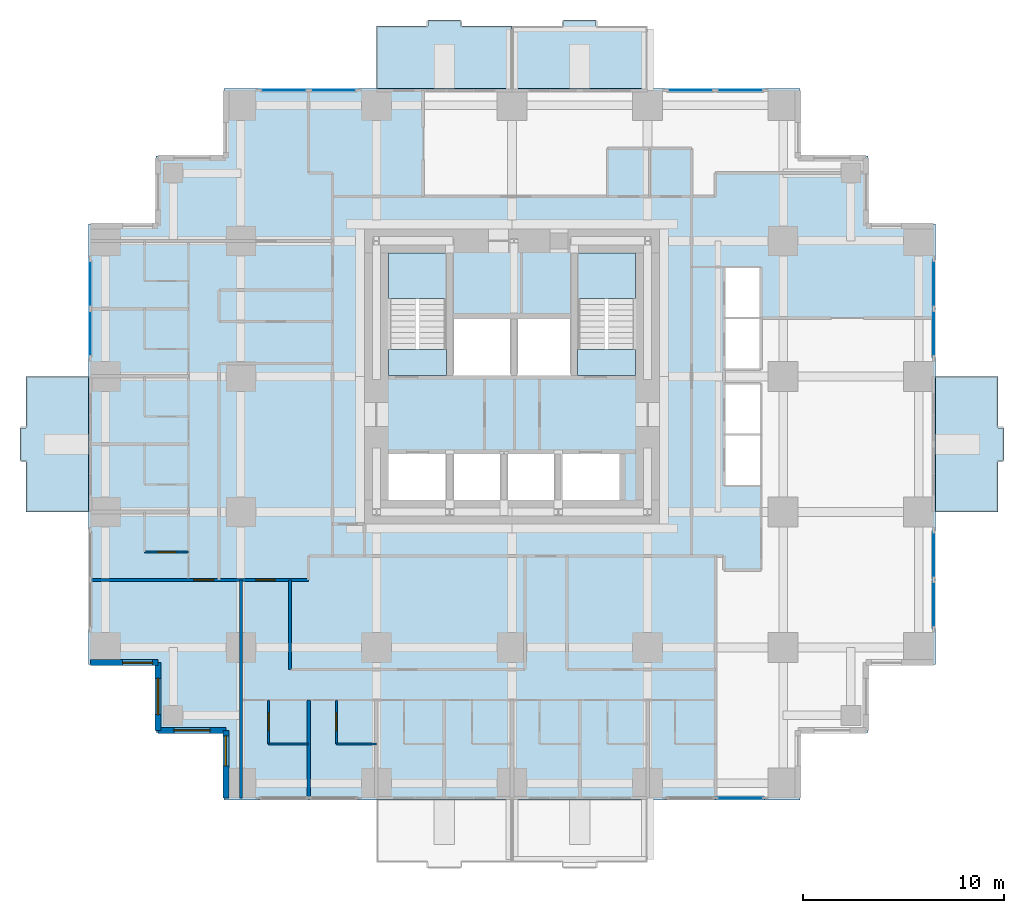
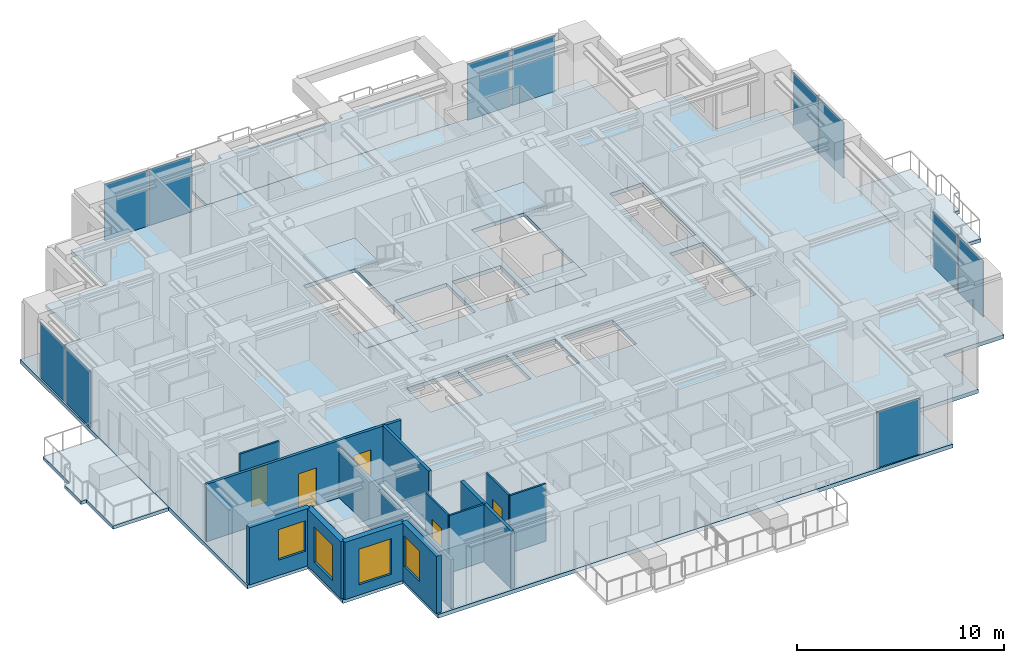
# One storey, part 4 of 11: 13 walls, 11 plates, 9 slabs, 5 doors, 4 windows, 9 openings, 8 elements without a shape of their own.
"""IFC4 building model written with IfcOpenShell, lengths in metres."""

from ifc_helpers import new_model, si_unit, direction, frame, frame_2d, origin, origin_2d, place, context, subcontext, project, spatial, polyline, rectangle, outline, extrude, material, layer, layer_set, type_object, element, fill, aggregate, save


model = new_model("IFC4")

# Units and contexts
model_context = context("Model", 3, precision=1e-05, world=origin(), true_north=direction((0.0, 1.0)))
body_context = subcontext(model_context, "Body", "Model", "MODEL_VIEW")
ifc_project = project(units=[si_unit("LENGTHUNIT", "METRE"), si_unit("AREAUNIT", "SQUARE_METRE"), si_unit("VOLUMEUNIT", "CUBIC_METRE"), si_unit("PLANEANGLEUNIT", "RADIAN"), si_unit("MASSUNIT", "GRAM", prefix="KILO")], contexts=[model_context])

# Site, building, storey
site_placement = place(None, origin())
site = spatial("IfcSite", under=ifc_project, at=site_placement, CompositionType="ELEMENT")
building_placement = place(site_placement, origin())
building = spatial("IfcBuilding", under=site, at=building_placement, Name="Nyansa Garden Tower", CompositionType="ELEMENT")
storey_placement = place(building_placement, frame((0.0, 0.0, 108.89990234375)))
storey = spatial("IfcBuildingStorey", under=building, at=storey_placement, Name="L29", CompositionType="ELEMENT", Elevation=108.89990234375)

# Slabs
ifc_material_1 = material(Name="Concrete C40/50", Category="concrete")
ifc_layer_1 = layer(ifc_material_1, 0.199951171875)
ifc_layer_set_1 = layer_set([ifc_layer_1], Name="Balcony slab BS200")
slab_type_1 = type_object("IfcSlabType", Name="Balcony slab BS200", PredefinedType="FLOOR", material=ifc_layer_set_1)
slab_1_placement = place(storey_placement, frame((0.0, 0.0, -0.239990234375)))
element("IfcSlab", 1, at=slab_1_placement, inside=storey, type_object=slab_type_1, Name="Balcony L29 E", PredefinedType="FLOOR", context=body_context, shape_type="SweptSolid", body=[
    extrude(outline(polyline([(41.35009765625, 13.5), (41.35009765625, 20.25), (44.449951171875, 20.25), (44.449951171875, 17.675048828125), (44.75, 17.675048828125), (44.75, 16.074951171875), (44.449951171875, 16.074951171875), (44.449951171875, 13.5), (41.35009765625, 13.5)])), origin(), (0.0, 0.0, 1.0), 0.2001953125),
])
slab_2_placement = place(storey_placement, frame((0.0, 0.0, -0.239990234375)))
element("IfcSlab", 2, at=slab_2_placement, inside=storey, type_object=slab_type_1, Name="Balcony L29 N", PredefinedType="FLOOR", context=body_context, shape_type="SweptSolid", body=[
    extrude(outline(polyline([(13.5, 34.60009765625), (20.25, 34.60009765625), (20.25, 37.699951171875), (17.675048828125, 37.699951171875), (17.675048828125, 38.0), (16.074951171875, 38.0), (16.074951171875, 37.699951171875), (13.5, 37.699951171875), (13.5, 34.60009765625)])), origin(), (0.0, 0.0, 1.0), 0.2001953125),
])
slab_3_placement = place(storey_placement, frame((0.0, 0.0, -0.239990234375)))
element("IfcSlab", 3, at=slab_3_placement, inside=storey, type_object=slab_type_1, Name="Balcony L29 N", PredefinedType="FLOOR", context=body_context, shape_type="SweptSolid", body=[
    extrude(outline(polyline([(20.25, 34.60009765625), (27.0, 34.60009765625), (27.0, 37.699951171875), (24.425048828125, 37.699951171875), (24.425048828125, 38.0), (22.824951171875, 38.0), (22.824951171875, 37.699951171875), (20.25, 37.699951171875), (20.25, 34.60009765625)])), origin(), (0.0, 0.0, 1.0), 0.2001953125),
])
slab_4_placement = place(storey_placement, frame((0.0, 0.0, -0.239990234375)))
element("IfcSlab", 4, at=slab_4_placement, inside=storey, type_object=slab_type_1, Name="Balcony L29 W", PredefinedType="FLOOR", context=body_context, shape_type="SweptSolid", body=[
    extrude(outline(polyline([(-0.85009765625, 13.5), (-0.85009765625, 20.25), (-3.949951171875, 20.25), (-3.949951171875, 17.675048828125), (-4.25, 17.675048828125), (-4.25, 16.074951171875), (-3.949951171875, 16.074951171875), (-3.949951171875, 13.5), (-0.85009765625, 13.5)])), origin(), (0.0, 0.0, 1.0), 0.2001953125),
])
ifc_material_2 = material(Name="Concrete C40/50", Category="concrete")
ifc_layer_2 = layer(ifc_material_2, 0.22509765625)
ifc_layer_set_2 = layer_set([ifc_layer_2], Name="Floor slab FS225")
slab_type_2 = type_object("IfcSlabType", Name="Floor slab FS225", PredefinedType="FLOOR", material=ifc_layer_set_2)
slab_5_placement = place(storey_placement, frame((0.0, 0.0, -0.224853515625)))
element("IfcSlab", 5, at=slab_5_placement, inside=storey, type_object=slab_type_2, Name="Floor slab L29", PredefinedType="FLOOR", context=body_context, shape_type="SweptSolid", body=[
    extrude(outline(polyline([(41.35009765625, 5.89990234375), (37.97509765625, 5.89990234375), (37.97509765625, 2.52490234375), (34.60009765625, 2.52490234375), (34.60009765625, -0.85009765625), (5.89990234375, -0.85009765625), (5.89990234375, 2.52490234375), (2.52490234375, 2.52490234375), (2.52490234375, 5.89990234375), (-0.85009765625, 5.89990234375), (-0.85009765625, 27.85009765625), (2.52490234375, 27.85009765625), (2.52490234375, 31.22509765625), (5.89990234375, 31.22509765625), (5.89990234375, 34.60009765625), (34.60009765625, 34.60009765625), (34.60009765625, 31.22509765625), (37.97509765625, 31.22509765625), (37.97509765625, 27.85009765625), (41.35009765625, 27.85009765625), (41.35009765625, 5.89990234375)]), holes=[polyline([(14.10009765625, 14.10009765625), (17.0, 14.10009765625), (17.0, 16.39990234375), (14.10009765625, 16.39990234375), (14.10009765625, 14.10009765625)]), polyline([(17.300048828125, 14.10009765625), (19.699951171875, 14.10009765625), (19.699951171875, 16.39990234375), (17.300048828125, 16.39990234375), (17.300048828125, 14.10009765625)]), polyline([(20.0, 14.10009765625), (22.39990234375, 14.10009765625), (22.39990234375, 16.39990234375), (20.0, 16.39990234375), (20.0, 14.10009765625)]), polyline([(22.699951171875, 14.10009765625), (25.60009765625, 14.10009765625), (25.60009765625, 16.39990234375), (22.699951171875, 16.39990234375), (22.699951171875, 14.10009765625)]), polyline([(17.300048828125, 20.300048828125), (20.199951171875, 20.300048828125), (20.199951171875, 23.10009765625), (17.300048828125, 23.10009765625), (17.300048828125, 20.300048828125)]), polyline([(20.5, 20.300048828125), (23.199951171875, 20.300048828125), (23.199951171875, 23.10009765625), (20.5, 23.10009765625), (20.5, 20.300048828125)]), polyline([(30.800048828125, 14.800048828125), (32.64990234375, 14.800048828125), (32.64990234375, 19.89990234375), (30.800048828125, 19.89990234375), (30.800048828125, 14.800048828125)]), polyline([(30.800048828125, 20.60009765625), (32.64990234375, 20.60009765625), (32.64990234375, 25.699951171875), (30.800048828125, 25.699951171875), (30.800048828125, 20.60009765625)]), polyline([(14.10009765625, 20.300048828125), (17.0, 20.300048828125), (17.0, 26.39990234375), (14.10009765625, 26.39990234375), (14.10009765625, 20.300048828125)]), polyline([(23.5, 20.300048828125), (26.39990234375, 20.300048828125), (26.39990234375, 26.39990234375), (23.5, 26.39990234375), (23.5, 20.300048828125)])]), origin(), (0.0, 0.0, 1.0), 0.224853515625),
])

# Curtain wall, plates
ifc_material_3 = material(Name="Black anodised aluminium, dark tinted double glazing", Category="aluminium")
curtain_wall_type = type_object("IfcCurtainWallType", Name="Sky lounge curtain wall SLW", PredefinedType="USERDEFINED", material=ifc_material_3)
curtain_wall_1_placement = place(storey_placement, origin())
curtain_wall_1 = element("IfcCurtainWall", 6, at=curtain_wall_1_placement, inside=storey, type_object=curtain_wall_type, Name="Inner skin curtain wall L29 E", ObjectType="UNITISED CURTAIN WALL", PredefinedType="USERDEFINED")
ifc_material_4 = material(Name="Dark tinted laminated double glazing", Category="glass")
ifc_layer_3 = layer(ifc_material_4, 0.048095703125)
ifc_layer_set_3 = layer_set([ifc_layer_3], Name="Lounge vision panel VP-L")
plate_type = type_object("IfcPlateType", Name="Lounge vision panel VP-L", PredefinedType="CURTAIN_PANEL", material=ifc_layer_set_3)
plate_1_placement = place(storey_placement, frame((41.25, 8.887451171875, 0.000244140625), z_axis=(0.0, 0.0, 1.0), x_axis=(0.0, 1.0, 0.0)))
plate_1 = element("IfcPlate", 7, at=plate_1_placement, type_object=plate_type, Name="SLW panel 1", PredefinedType="CURTAIN_PANEL", context=body_context, shape_type="SweptSolid", body=[
    extrude(rectangle(XDim=2.39501953125, YDim=0.048095703125, at=origin_2d()), origin(), (0.0, 0.0, 1.0), 3.294921875),
])
plate_2_placement = place(storey_placement, frame((41.25, 11.362548828125, 0.000244140625), z_axis=(0.0, 0.0, 1.0), x_axis=(0.0, 1.0, 0.0)))
plate_2 = element("IfcPlate", 8, at=plate_2_placement, type_object=plate_type, Name="SLW panel 2", PredefinedType="CURTAIN_PANEL", context=body_context, shape_type="SweptSolid", body=[
    extrude(rectangle(XDim=2.39501953125, YDim=0.048095703125, at=origin_2d()), origin(), (0.0, 0.0, 1.0), 3.294921875),
])
aggregate(curtain_wall_1, [plate_1, plate_2])

curtain_wall_2_placement = place(storey_placement, origin())
curtain_wall_2 = element("IfcCurtainWall", 9, at=curtain_wall_2_placement, inside=storey, type_object=curtain_wall_type, Name="Inner skin curtain wall L29 E", ObjectType="UNITISED CURTAIN WALL", PredefinedType="USERDEFINED")
plate_3_placement = place(storey_placement, frame((41.25, 22.387451171875, 0.000244140625), z_axis=(0.0, 0.0, 1.0), x_axis=(0.0, 1.0, 0.0)))
plate_3 = element("IfcPlate", 10, at=plate_3_placement, type_object=plate_type, Name="SLW panel 1", PredefinedType="CURTAIN_PANEL", context=body_context, shape_type="SweptSolid", body=[
    extrude(rectangle(XDim=2.39501953125, YDim=0.048095703125, at=origin_2d()), origin(), (0.0, 0.0, 1.0), 3.294921875),
])
plate_4_placement = place(storey_placement, frame((41.25, 24.862548828125, 0.000244140625), z_axis=(0.0, 0.0, 1.0), x_axis=(0.0, 1.0, 0.0)))
plate_4 = element("IfcPlate", 11, at=plate_4_placement, type_object=plate_type, Name="SLW panel 2", PredefinedType="CURTAIN_PANEL", context=body_context, shape_type="SweptSolid", body=[
    extrude(rectangle(XDim=2.39501953125, YDim=0.048095703125, at=origin_2d()), origin(), (0.0, 0.0, 1.0), 3.294921875),
])
aggregate(curtain_wall_2, [plate_3, plate_4])

curtain_wall_3_placement = place(storey_placement, origin())
curtain_wall_3 = element("IfcCurtainWall", 12, at=curtain_wall_3_placement, inside=storey, type_object=curtain_wall_type, Name="Inner skin curtain wall L29 N", ObjectType="UNITISED CURTAIN WALL", PredefinedType="USERDEFINED")
plate_5_placement = place(storey_placement, frame((11.362548828125, 34.5, 0.000244140625), z_axis=(0.0, 0.0, 1.0), x_axis=(-1.0, 0.0, 0.0)))
plate_5 = element("IfcPlate", 13, at=plate_5_placement, type_object=plate_type, Name="SLW panel 1", PredefinedType="CURTAIN_PANEL", context=body_context, shape_type="SweptSolid", body=[
    extrude(rectangle(XDim=2.39501953125, YDim=0.048095703125, at=origin_2d()), origin(), (0.0, 0.0, 1.0), 3.294921875),
])
plate_6_placement = place(storey_placement, frame((8.887451171875, 34.5, 0.000244140625), z_axis=(0.0, 0.0, 1.0), x_axis=(-1.0, 0.0, 0.0)))
plate_6 = element("IfcPlate", 14, at=plate_6_placement, type_object=plate_type, Name="SLW panel 2", PredefinedType="CURTAIN_PANEL", context=body_context, shape_type="SweptSolid", body=[
    extrude(rectangle(XDim=2.39501953125, YDim=0.048095703125, at=origin_2d()), origin(), (0.0, 0.0, 1.0), 3.294921875),
])
aggregate(curtain_wall_3, [plate_5, plate_6])

curtain_wall_4_placement = place(storey_placement, origin())
curtain_wall_4 = element("IfcCurtainWall", 15, at=curtain_wall_4_placement, inside=storey, type_object=curtain_wall_type, Name="Inner skin curtain wall L29 N", ObjectType="UNITISED CURTAIN WALL", PredefinedType="USERDEFINED")
plate_7_placement = place(storey_placement, frame((31.612548828125, 34.5, 0.000244140625), z_axis=(0.0, 0.0, 1.0), x_axis=(-1.0, 0.0, 0.0)))
plate_7 = element("IfcPlate", 16, at=plate_7_placement, type_object=plate_type, Name="SLW panel 1", PredefinedType="CURTAIN_PANEL", context=body_context, shape_type="SweptSolid", body=[
    extrude(rectangle(XDim=2.39501953125, YDim=0.048095703125, at=origin_2d()), origin(), (0.0, 0.0, 1.0), 3.294921875),
])
plate_8_placement = place(storey_placement, frame((29.137451171875, 34.5, 0.000244140625), z_axis=(0.0, 0.0, 1.0), x_axis=(-1.0, 0.0, 0.0)))
plate_8 = element("IfcPlate", 17, at=plate_8_placement, type_object=plate_type, Name="SLW panel 2", PredefinedType="CURTAIN_PANEL", context=body_context, shape_type="SweptSolid", body=[
    extrude(rectangle(XDim=2.39501953125, YDim=0.048095703125, at=origin_2d()), origin(), (0.0, 0.0, 1.0), 3.294921875),
])
aggregate(curtain_wall_4, [plate_7, plate_8])

curtain_wall_5_placement = place(storey_placement, origin())
curtain_wall_5 = element("IfcCurtainWall", 18, at=curtain_wall_5_placement, inside=storey, type_object=curtain_wall_type, Name="Inner skin curtain wall L29 W", ObjectType="UNITISED CURTAIN WALL", PredefinedType="USERDEFINED")
plate_9_placement = place(storey_placement, frame((-0.75, 24.862548828125, 0.000244140625), z_axis=(0.0, 0.0, 1.0), x_axis=(0.0, -1.0, 0.0)))
plate_9 = element("IfcPlate", 19, at=plate_9_placement, type_object=plate_type, Name="SLW panel 1", PredefinedType="CURTAIN_PANEL", context=body_context, shape_type="SweptSolid", body=[
    extrude(rectangle(XDim=2.39501953125, YDim=0.048095703125, at=origin_2d()), origin(), (0.0, 0.0, 1.0), 3.294921875),
])
plate_10_placement = place(storey_placement, frame((-0.75, 22.387451171875, 0.000244140625), z_axis=(0.0, 0.0, 1.0), x_axis=(0.0, -1.0, 0.0)))
plate_10 = element("IfcPlate", 20, at=plate_10_placement, type_object=plate_type, Name="SLW panel 2", PredefinedType="CURTAIN_PANEL", context=body_context, shape_type="SweptSolid", body=[
    extrude(rectangle(XDim=2.39501953125, YDim=0.048095703125, at=origin_2d()), origin(), (0.0, 0.0, 1.0), 3.294921875),
])
aggregate(curtain_wall_5, [plate_9, plate_10])

# Curtain wall, plate
curtain_wall_6_placement = place(storey_placement, origin())
curtain_wall_6 = element("IfcCurtainWall", 21, at=curtain_wall_6_placement, inside=storey, type_object=curtain_wall_type, Name="Inner skin curtain wall L29 S", ObjectType="UNITISED CURTAIN WALL", PredefinedType="USERDEFINED")
plate_11_placement = place(storey_placement, frame((31.612548828125, -0.75, 0.000244140625), z_axis=(0.0, 0.0, 1.0), x_axis=(1.0, 0.0, 0.0)))
plate_11 = element("IfcPlate", 22, at=plate_11_placement, type_object=plate_type, Name="SLW panel 2", PredefinedType="CURTAIN_PANEL", context=body_context, shape_type="SweptSolid", body=[
    extrude(rectangle(XDim=2.39501953125, YDim=0.048095703125, at=origin_2d()), origin(), (0.0, 0.0, 1.0), 3.294921875),
])
aggregate(curtain_wall_6, [plate_11])

# Stair, slabs
ifc_material_5 = material(Name="Precast concrete C40/50", Category="concrete")
stair_type_1 = type_object("IfcStairType", Name="Stair S1 180x280", PredefinedType="HALF_TURN_STAIR", material=ifc_material_5)
stair_1_placement = place(storey_placement, origin())
stair_1 = element("IfcStair", 23, at=stair_1_placement, inside=storey, type_object=stair_type_1, Name="Stair S1 L29", PredefinedType="HALF_TURN_STAIR")
ifc_material_6 = material(Name="Concrete C40/50", Category="concrete")
ifc_layer_4 = layer(ifc_material_6, 0.199951171875)
ifc_layer_set_4 = layer_set([ifc_layer_4], Name="Stair landing SL200")
slab_type_3 = type_object("IfcSlabType", Name="Stair landing SL200", PredefinedType="LANDING", material=ifc_layer_set_4)
slab_6_placement = place(storey_placement, frame((0.0, 0.0, -0.199951171875)))
slab_6 = element("IfcSlab", 24, at=slab_6_placement, type_object=slab_type_3, Name="S1 landing 1", PredefinedType="LANDING", context=body_context, shape_type="SweptSolid", body=[
    extrude(outline(polyline([(14.10009765625, 20.300048828125), (17.0, 20.300048828125), (17.0, 21.60009765625), (14.10009765625, 21.60009765625), (14.10009765625, 20.300048828125)])), origin(), (0.0, 0.0, 1.0), 0.199951171875),
])
slab_7_placement = place(storey_placement, frame((0.0, 0.0, 1.60009765625)))
slab_7 = element("IfcSlab", 25, at=slab_7_placement, type_object=slab_type_3, Name="S1 landing 2", PredefinedType="LANDING", context=body_context, shape_type="SweptSolid", body=[
    extrude(outline(polyline([(14.10009765625, 24.1201171875), (17.0, 24.1201171875), (17.0, 26.39990234375), (14.10009765625, 26.39990234375), (14.10009765625, 24.1201171875)])), origin(), (0.0, 0.0, 1.0), 0.199951171875),
])
aggregate(stair_1, [slab_6, slab_7])

ifc_material_7 = material(Name="Precast concrete C40/50", Category="concrete")
stair_type_2 = type_object("IfcStairType", Name="Stair S2 180x280", PredefinedType="HALF_TURN_STAIR", material=ifc_material_7)
stair_2_placement = place(storey_placement, origin())
stair_2 = element("IfcStair", 26, at=stair_2_placement, inside=storey, type_object=stair_type_2, Name="Stair S2 L29", PredefinedType="HALF_TURN_STAIR")
slab_8_placement = place(storey_placement, frame((0.0, 0.0, -0.199951171875)))
slab_8 = element("IfcSlab", 27, at=slab_8_placement, type_object=slab_type_3, Name="S2 landing 1", PredefinedType="LANDING", context=body_context, shape_type="SweptSolid", body=[
    extrude(outline(polyline([(23.5, 20.300048828125), (26.39990234375, 20.300048828125), (26.39990234375, 21.60009765625), (23.5, 21.60009765625), (23.5, 20.300048828125)])), origin(), (0.0, 0.0, 1.0), 0.199951171875),
])
slab_9_placement = place(storey_placement, frame((0.0, 0.0, 1.60009765625)))
slab_9 = element("IfcSlab", 28, at=slab_9_placement, type_object=slab_type_3, Name="S2 landing 2", PredefinedType="LANDING", context=body_context, shape_type="SweptSolid", body=[
    extrude(outline(polyline([(23.5, 24.1201171875), (26.39990234375, 24.1201171875), (26.39990234375, 26.39990234375), (23.5, 26.39990234375), (23.5, 24.1201171875)])), origin(), (0.0, 0.0, 1.0), 0.199951171875),
])
aggregate(stair_2, [slab_8, slab_9])

# Wall
ifc_material_8 = material(Name="Dense blockwork, plastered both sides, 55 dB", Category="masonry")
ifc_layer_5 = layer(ifc_material_8, 0.175048828125)
ifc_layer_set_5 = layer_set([ifc_layer_5], Name="Acoustic party wall PW175")
wall_type_1 = type_object("IfcWallType", Name="Acoustic party wall PW175", PredefinedType="PARTITIONING", material=ifc_layer_set_5)
wall_1_placement = place(storey_placement, frame((10.125, -0.73388671875, 0.0), z_axis=(0.0, 0.0, 1.0), x_axis=(0.0, 1.0, 0.0)))
element("IfcWall", 29, at=wall_1_placement, inside=storey, type_object=wall_type_1, Name="Party wall", PredefinedType="PARTITIONING", context=body_context, shape_type="SweptSolid", body=[
    extrude(rectangle(XDim=4.8837890625, YDim=0.175048828125, at=frame_2d((2.44189453125, 0.0))), origin(), (0.0, 0.0, 1.0), 3.375),
])

# Wall, openings, doors
ifc_material_9 = material(Name="Blockwork, plastered both sides", Category="masonry")
ifc_layer_6 = layer(ifc_material_9, 0.14990234375)
ifc_layer_set_6 = layer_set([ifc_layer_6], Name="Partition PW150")
wall_type_2 = type_object("IfcWallType", Name="Partition PW150", PredefinedType="PARTITIONING", material=ifc_layer_set_6)
wall_2_placement = place(storey_placement, frame((-0.73388671875, 10.125, 0.0), z_axis=(0.0, 0.0, 1.0), x_axis=(1.0, 0.0, 0.0)))
wall_2 = element("IfcWall", 30, at=wall_2_placement, inside=storey, type_object=wall_type_2, Name="Partition", PredefinedType="PARTITIONING", context=body_context, shape_type="SweptSolid", body=[
    extrude(rectangle(XDim=10.85888671875, YDim=0.14990234375, at=frame_2d((5.429443359375, 0.0))), origin(), (0.0, 0.0, 1.0), 3.375),
])
opening_1_placement = place(wall_2_placement, frame((5.134033203125, 0.0, 0.0)))
opening_1 = element("IfcOpeningElement", 31, at=opening_1_placement, cuts=wall_2, Name="Opening D03", PredefinedType="OPENING", context=body_context, shape_type="SweptSolid", body=[
    extrude(rectangle(XDim=1.0, YDim=2.199951171875, at=frame_2d((0.5, 1.10009765625))), frame((0.0, 0.0849609375, 0.0), z_axis=(0.0, -1.0, 0.0), x_axis=(1.0, 0.0, 0.0)), (0.0, 0.0, 1.0), 0.169921875),
])
opening_2_placement = place(wall_2_placement, frame((8.23388671875, 0.0, 0.0)))
opening_2 = element("IfcOpeningElement", 32, at=opening_2_placement, cuts=wall_2, Name="Opening D01", PredefinedType="OPENING", context=body_context, shape_type="SweptSolid", body=[
    extrude(rectangle(XDim=0.949951171875, YDim=2.199951171875, at=frame_2d((0.47509765625, 1.10009765625))), frame((0.0, 0.0849609375, 0.0), z_axis=(0.0, -1.0, 0.0), x_axis=(1.0, 0.0, 0.0)), (0.0, 0.0, 1.0), 0.169921875),
])
ifc_material_10 = material(Name="Timber flush door, 30 minute fire resisting", Category="wood")
door_type_1 = type_object("IfcDoorType", Name="Bedroom door D01 950x2200", OperationType="SINGLE_SWING_LEFT", PredefinedType="DOOR", material=ifc_material_10)
door_1_placement = place(opening_2_placement, origin())
door_1 = element("IfcDoor", 33, at=door_1_placement, inside=storey, type_object=door_type_1, Name="Door L29-057", OperationType="SINGLE_SWING_LEFT", OverallHeight=2.199951171875, OverallWidth=0.949951171875, PredefinedType="DOOR", context=body_context, shape_type="SweptSolid", body=[
    extrude(rectangle(XDim=0.949951171875, YDim=2.199951171875, at=frame_2d((0.47509765625, 1.10009765625))), frame((0.0, 0.02490234375, 0.0), z_axis=(0.0, -1.0, 0.0), x_axis=(1.0, 0.0, 0.0)), (0.0, 0.0, 1.0), 0.050048828125),
])
fill(opening_2, door_1)
ifc_material_11 = material(Name="Timber flush door, 60 minute fire resisting", Category="wood")
door_type_2 = type_object("IfcDoorType", Name="Cluster entrance door D03 1000x2200", OperationType="SINGLE_SWING_LEFT", PredefinedType="DOOR", material=ifc_material_11)
door_2_placement = place(opening_1_placement, origin())
door_2 = element("IfcDoor", 34, at=door_2_placement, inside=storey, type_object=door_type_2, Name="Door L29-032", OperationType="SINGLE_SWING_LEFT", OverallHeight=2.199951171875, OverallWidth=1.0, PredefinedType="DOOR", context=body_context, shape_type="SweptSolid", body=[
    extrude(rectangle(XDim=1.0, YDim=2.199951171875, at=frame_2d((0.5, 1.10009765625))), frame((0.0, 0.02490234375, 0.0), z_axis=(0.0, -1.0, 0.0), x_axis=(1.0, 0.0, 0.0)), (0.0, 0.0, 1.0), 0.050048828125),
])
fill(opening_1, door_2)

# Walls
wall_3_placement = place(storey_placement, frame((6.75, -0.73388671875, 0.0), z_axis=(0.0, 0.0, 1.0), x_axis=(0.0, 1.0, 0.0)))
element("IfcWall", 35, at=wall_3_placement, inside=storey, type_object=wall_type_2, Name="Partition", PredefinedType="PARTITIONING", context=body_context, shape_type="SweptSolid", body=[
    extrude(rectangle(XDim=10.85888671875, YDim=0.14990234375, at=frame_2d((5.429443359375, 0.0))), origin(), (0.0, 0.0, 1.0), 2.877197265625),
])
wall_4_placement = place(storey_placement, frame((9.199951171875, 5.64990234375, 0.0), z_axis=(0.0, 0.0, 1.0), x_axis=(0.0, 1.0, 0.0)))
element("IfcWall", 36, at=wall_4_placement, inside=storey, type_object=wall_type_2, Name="Partition", PredefinedType="PARTITIONING", context=body_context, shape_type="SweptSolid", body=[
    extrude(rectangle(XDim=4.47509765625, YDim=0.14990234375, at=frame_2d((2.237548828125, 0.0))), origin(), (0.0, 0.0, 1.0), 3.375),
])

# Wall, opening, window
ifc_material_12 = material(Name="Turquoise glazed tile on concrete blockwork", Category="masonry")
ifc_layer_7 = layer(ifc_material_12, 0.300048828125)
ifc_layer_set_7 = layer_set([ifc_layer_7], Name="Tiled corner wall TW300")
wall_type_3 = type_object("IfcWallType", Name="Tiled corner wall TW300", PredefinedType="SOLIDWALL", material=ifc_layer_set_7)
wall_5_placement = place(storey_placement, frame((-0.75, 6.0, 0.0), z_axis=(0.0, 0.0, 1.0), x_axis=(1.0, 0.0, 0.0)))
wall_5 = element("IfcWall", 37, at=wall_5_placement, inside=storey, type_object=wall_type_3, Name="Tiled corner wall L29", PredefinedType="SOLIDWALL", context=body_context, shape_type="SweptSolid", body=[
    extrude(rectangle(XDim=3.375, YDim=0.300048828125, at=frame_2d((1.6875, 0.0))), origin(), (0.0, 0.0, 1.0), 3.375),
])
opening_3_placement = place(wall_5_placement, frame((1.607421875, 0.0, 0.89990234375)))
opening_3 = element("IfcOpeningElement", 38, at=opening_3_placement, cuts=wall_5, Name="Opening W1", PredefinedType="OPENING", context=body_context, shape_type="SweptSolid", body=[
    extrude(rectangle(XDim=1.5, YDim=1.800048828125, at=frame_2d((0.75, 0.89990234375))), frame((0.0, 0.159912109375, 0.0), z_axis=(0.0, -1.0, 0.0), x_axis=(1.0, 0.0, 0.0)), (0.0, 0.0, 1.0), 0.320068359375),
])
ifc_material_13 = material(Name="Black aluminium frame, dark tinted double glazing", Category="aluminium")
window_type_1 = type_object("IfcWindowType", Name="Window W1 1500x1800", PartitioningType="SINGLE_PANEL", PredefinedType="WINDOW", material=ifc_material_13)
window_1_placement = place(opening_3_placement, origin())
window_1 = element("IfcWindow", 39, at=window_1_placement, inside=storey, type_object=window_type_1, Name="Corner window L29", OverallHeight=1.800048828125, OverallWidth=1.5, PartitioningType="SINGLE_PANEL", PredefinedType="WINDOW", context=body_context, shape_type="SweptSolid", body=[
    extrude(rectangle(XDim=1.5, YDim=1.800048828125, at=frame_2d((0.75, 0.89990234375))), frame((0.0, 0.030029296875, 0.0), z_axis=(0.0, -1.0, 0.0), x_axis=(1.0, 0.0, 0.0)), (0.0, 0.0, 1.0), 0.06005859375),
])
fill(opening_3, window_1)

wall_6_placement = place(storey_placement, frame((2.625, 6.0, 0.0), z_axis=(0.0, 0.0, 1.0), x_axis=(0.0, -1.0, 0.0)))
wall_6 = element("IfcWall", 40, at=wall_6_placement, inside=storey, type_object=wall_type_3, Name="Tiled corner wall L29", PredefinedType="SOLIDWALL", context=body_context, shape_type="SweptSolid", body=[
    extrude(rectangle(XDim=3.375, YDim=0.300048828125, at=frame_2d((1.6875, 0.0))), origin(), (0.0, 0.0, 1.0), 3.375),
])
opening_4_placement = place(wall_6_placement, frame((0.78759765625, 0.0, 0.60009765625)))
opening_4 = element("IfcOpeningElement", 41, at=opening_4_placement, cuts=wall_6, Name="Opening W2", PredefinedType="OPENING", context=body_context, shape_type="SweptSolid", body=[
    extrude(rectangle(XDim=1.800048828125, YDim=2.10009765625, at=frame_2d((0.89990234375, 1.050048828125))), frame((0.0, 0.159912109375, 0.0), z_axis=(0.0, -1.0, 0.0), x_axis=(1.0, 0.0, 0.0)), (0.0, 0.0, 1.0), 0.320068359375),
])
ifc_material_14 = material(Name="Black aluminium frame, dark tinted double glazing", Category="aluminium")
window_type_2 = type_object("IfcWindowType", Name="Window W2 1800x2100", PartitioningType="SINGLE_PANEL", PredefinedType="WINDOW", material=ifc_material_14)
window_2_placement = place(opening_4_placement, origin())
window_2 = element("IfcWindow", 42, at=window_2_placement, inside=storey, type_object=window_type_2, Name="Corner window L29", OverallHeight=2.10009765625, OverallWidth=1.800048828125, PartitioningType="SINGLE_PANEL", PredefinedType="WINDOW", context=body_context, shape_type="SweptSolid", body=[
    extrude(rectangle(XDim=1.800048828125, YDim=2.10009765625, at=frame_2d((0.89990234375, 1.050048828125))), frame((0.0, 0.030029296875, 0.0), z_axis=(0.0, -1.0, 0.0), x_axis=(1.0, 0.0, 0.0)), (0.0, 0.0, 1.0), 0.06005859375),
])
fill(opening_4, window_2)

wall_7_placement = place(storey_placement, frame((2.625, 2.625, 0.0), z_axis=(0.0, 0.0, 1.0), x_axis=(1.0, 0.0, 0.0)))
wall_7 = element("IfcWall", 43, at=wall_7_placement, inside=storey, type_object=wall_type_3, Name="Tiled corner wall L29", PredefinedType="SOLIDWALL", context=body_context, shape_type="SweptSolid", body=[
    extrude(rectangle(XDim=3.375, YDim=0.300048828125, at=frame_2d((1.6875, 0.0))), origin(), (0.0, 0.0, 1.0), 3.375),
])
opening_5_placement = place(wall_7_placement, frame((0.78759765625, 0.0, 0.60009765625)))
opening_5 = element("IfcOpeningElement", 44, at=opening_5_placement, cuts=wall_7, Name="Opening W2", PredefinedType="OPENING", context=body_context, shape_type="SweptSolid", body=[
    extrude(rectangle(XDim=1.800048828125, YDim=2.10009765625, at=frame_2d((0.89990234375, 1.050048828125))), frame((0.0, 0.159912109375, 0.0), z_axis=(0.0, -1.0, 0.0), x_axis=(1.0, 0.0, 0.0)), (0.0, 0.0, 1.0), 0.320068359375),
])
window_3_placement = place(opening_5_placement, origin())
window_3 = element("IfcWindow", 45, at=window_3_placement, inside=storey, type_object=window_type_2, Name="Corner window L29", OverallHeight=2.10009765625, OverallWidth=1.800048828125, PartitioningType="SINGLE_PANEL", PredefinedType="WINDOW", context=body_context, shape_type="SweptSolid", body=[
    extrude(rectangle(XDim=1.800048828125, YDim=2.10009765625, at=frame_2d((0.89990234375, 1.050048828125))), frame((0.0, 0.030029296875, 0.0), z_axis=(0.0, -1.0, 0.0), x_axis=(1.0, 0.0, 0.0)), (0.0, 0.0, 1.0), 0.06005859375),
])
fill(opening_5, window_3)

wall_8_placement = place(storey_placement, frame((6.0, 2.625, 0.0), z_axis=(0.0, 0.0, 1.0), x_axis=(0.0, -1.0, 0.0)))
wall_8 = element("IfcWall", 46, at=wall_8_placement, inside=storey, type_object=wall_type_3, Name="Tiled corner wall L29", PredefinedType="SOLIDWALL", context=body_context, shape_type="SweptSolid", body=[
    extrude(rectangle(XDim=3.375, YDim=0.300048828125, at=frame_2d((1.6875, 0.0))), origin(), (0.0, 0.0, 1.0), 3.375),
])
opening_6_placement = place(wall_8_placement, frame((0.267578125, 0.0, 0.89990234375)))
opening_6 = element("IfcOpeningElement", 47, at=opening_6_placement, cuts=wall_8, Name="Opening W1", PredefinedType="OPENING", context=body_context, shape_type="SweptSolid", body=[
    extrude(rectangle(XDim=1.5, YDim=1.800048828125, at=frame_2d((0.75, 0.89990234375))), frame((0.0, 0.159912109375, 0.0), z_axis=(0.0, -1.0, 0.0), x_axis=(1.0, 0.0, 0.0)), (0.0, 0.0, 1.0), 0.320068359375),
])
window_4_placement = place(opening_6_placement, origin())
window_4 = element("IfcWindow", 48, at=window_4_placement, inside=storey, type_object=window_type_1, Name="Corner window L29", OverallHeight=1.800048828125, OverallWidth=1.5, PartitioningType="SINGLE_PANEL", PredefinedType="WINDOW", context=body_context, shape_type="SweptSolid", body=[
    extrude(rectangle(XDim=1.5, YDim=1.800048828125, at=frame_2d((0.75, 0.89990234375))), frame((0.0, 0.030029296875, 0.0), z_axis=(0.0, -1.0, 0.0), x_axis=(1.0, 0.0, 0.0)), (0.0, 0.0, 1.0), 0.06005859375),
])
fill(opening_6, window_4)

# Wall, opening, door
ifc_material_15 = material(Name="Moisture resistant board on steel studs, tiled", Category="steel")
ifc_layer_8 = layer(ifc_material_15, 0.10009765625)
ifc_layer_set_8 = layer_set([ifc_layer_8], Name="Wet wall PW100")
wall_type_4 = type_object("IfcWallType", Name="Wet wall PW100", PredefinedType="PARTITIONING", material=ifc_layer_set_8)
wall_9_placement = place(storey_placement, frame((1.949951171875, 11.5, 0.0), z_axis=(0.0, 0.0, 1.0), x_axis=(1.0, 0.0, 0.0)))
wall_9 = element("IfcWall", 49, at=wall_9_placement, inside=storey, type_object=wall_type_4, Name="Wet wall", PredefinedType="PARTITIONING", context=body_context, shape_type="SweptSolid", body=[
    extrude(rectangle(XDim=2.199951171875, YDim=0.10009765625, at=frame_2d((1.10009765625, 0.0))), origin(), (0.0, 0.0, 1.0), 3.375),
])
opening_7_placement = place(wall_9_placement, frame((0.64990234375, 0.0, 0.0)))
opening_7 = element("IfcOpeningElement", 50, at=opening_7_placement, cuts=wall_9, Name="Opening D02", PredefinedType="OPENING", context=body_context, shape_type="SweptSolid", body=[
    extrude(rectangle(XDim=0.89990234375, YDim=2.199951171875, at=frame_2d((0.449951171875, 1.10009765625))), frame((0.0, 0.06005859375, 0.0), z_axis=(0.0, -1.0, 0.0), x_axis=(1.0, 0.0, 0.0)), (0.0, 0.0, 1.0), 0.1201171875),
])
ifc_material_16 = material(Name="Timber flush door", Category="wood")
door_type_3 = type_object("IfcDoorType", Name="En-suite door D02 900x2200", OperationType="SINGLE_SWING_RIGHT", PredefinedType="DOOR", material=ifc_material_16)
door_3_placement = place(opening_7_placement, origin())
door_3 = element("IfcDoor", 51, at=door_3_placement, inside=storey, type_object=door_type_3, Name="Door L29-045", OperationType="SINGLE_SWING_RIGHT", OverallHeight=2.199951171875, OverallWidth=0.89990234375, PredefinedType="DOOR", context=body_context, shape_type="SweptSolid", body=[
    extrude(rectangle(XDim=0.89990234375, YDim=2.199951171875, at=frame_2d((0.449951171875, 1.10009765625))), frame((0.0, 0.02490234375, 0.0), z_axis=(0.0, -1.0, 0.0), x_axis=(1.0, 0.0, 0.0)), (0.0, 0.0, 1.0), 0.050048828125),
])
fill(opening_7, door_3)

wall_10_placement = place(storey_placement, frame((8.125, 1.949951171875, 0.0), z_axis=(0.0, 0.0, 1.0), x_axis=(0.0, 1.0, 0.0)))
wall_10 = element("IfcWall", 52, at=wall_10_placement, inside=storey, type_object=wall_type_4, Name="Wet wall", PredefinedType="PARTITIONING", context=body_context, shape_type="SweptSolid", body=[
    extrude(rectangle(XDim=2.199951171875, YDim=0.10009765625, at=frame_2d((1.10009765625, 0.0))), origin(), (0.0, 0.0, 1.0), 3.375),
])
opening_8_placement = place(wall_10_placement, frame((0.64990234375, 0.0, 0.0)))
opening_8 = element("IfcOpeningElement", 53, at=opening_8_placement, cuts=wall_10, Name="Opening D02", PredefinedType="OPENING", context=body_context, shape_type="SweptSolid", body=[
    extrude(rectangle(XDim=0.89990234375, YDim=2.199951171875, at=frame_2d((0.449951171875, 1.10009765625))), frame((0.0, 0.06005859375, 0.0), z_axis=(0.0, -1.0, 0.0), x_axis=(1.0, 0.0, 0.0)), (0.0, 0.0, 1.0), 0.1201171875),
])
door_4_placement = place(opening_8_placement, origin())
door_4 = element("IfcDoor", 54, at=door_4_placement, inside=storey, type_object=door_type_3, Name="Door L29-019", OperationType="SINGLE_SWING_RIGHT", OverallHeight=2.199951171875, OverallWidth=0.89990234375, PredefinedType="DOOR", context=body_context, shape_type="SweptSolid", body=[
    extrude(rectangle(XDim=0.89990234375, YDim=2.199951171875, at=frame_2d((0.449951171875, 1.10009765625))), frame((0.0, 0.02490234375, 0.0), z_axis=(0.0, -1.0, 0.0), x_axis=(1.0, 0.0, 0.0)), (0.0, 0.0, 1.0), 0.050048828125),
])
fill(opening_8, door_4)

# Wall
wall_11_placement = place(storey_placement, frame((8.125, 1.949951171875, 0.0), z_axis=(0.0, 0.0, 1.0), x_axis=(1.0, 0.0, 0.0)))
element("IfcWall", 55, at=wall_11_placement, inside=storey, type_object=wall_type_4, Name="Wet wall", PredefinedType="PARTITIONING", context=body_context, shape_type="SweptSolid", body=[
    extrude(rectangle(XDim=2.0, YDim=0.10009765625, at=frame_2d((1.0, 0.0))), origin(), (0.0, 0.0, 1.0), 3.375),
])

# Wall, opening, door
wall_12_placement = place(storey_placement, frame((11.5, 1.949951171875, 0.0), z_axis=(0.0, 0.0, 1.0), x_axis=(0.0, 1.0, 0.0)))
wall_12 = element("IfcWall", 56, at=wall_12_placement, inside=storey, type_object=wall_type_4, Name="Wet wall", PredefinedType="PARTITIONING", context=body_context, shape_type="SweptSolid", body=[
    extrude(rectangle(XDim=2.199951171875, YDim=0.10009765625, at=frame_2d((1.10009765625, 0.0))), origin(), (0.0, 0.0, 1.0), 3.375),
])
opening_9_placement = place(wall_12_placement, frame((0.64990234375, 0.0, 0.0)))
opening_9 = element("IfcOpeningElement", 57, at=opening_9_placement, cuts=wall_12, Name="Opening D02", PredefinedType="OPENING", context=body_context, shape_type="SweptSolid", body=[
    extrude(rectangle(XDim=0.89990234375, YDim=2.199951171875, at=frame_2d((0.449951171875, 1.10009765625))), frame((0.0, 0.06005859375, 0.0), z_axis=(0.0, -1.0, 0.0), x_axis=(1.0, 0.0, 0.0)), (0.0, 0.0, 1.0), 0.1201171875),
])
door_5_placement = place(opening_9_placement, origin())
door_5 = element("IfcDoor", 58, at=door_5_placement, inside=storey, type_object=door_type_3, Name="Door L29-021", OperationType="SINGLE_SWING_RIGHT", OverallHeight=2.199951171875, OverallWidth=0.89990234375, PredefinedType="DOOR", context=body_context, shape_type="SweptSolid", body=[
    extrude(rectangle(XDim=0.89990234375, YDim=2.199951171875, at=frame_2d((0.449951171875, 1.10009765625))), frame((0.0, 0.02490234375, 0.0), z_axis=(0.0, -1.0, 0.0), x_axis=(1.0, 0.0, 0.0)), (0.0, 0.0, 1.0), 0.050048828125),
])
fill(opening_9, door_5)

# Wall
wall_13_placement = place(storey_placement, frame((11.5, 1.949951171875, 0.0), z_axis=(0.0, 0.0, 1.0), x_axis=(1.0, 0.0, 0.0)))
element("IfcWall", 59, at=wall_13_placement, inside=storey, type_object=wall_type_4, Name="Wet wall", PredefinedType="PARTITIONING", context=body_context, shape_type="SweptSolid", body=[
    extrude(rectangle(XDim=2.0, YDim=0.10009765625, at=frame_2d((1.0, 0.0))), origin(), (0.0, 0.0, 1.0), 3.375),
])

save(model, "model.ifc")
